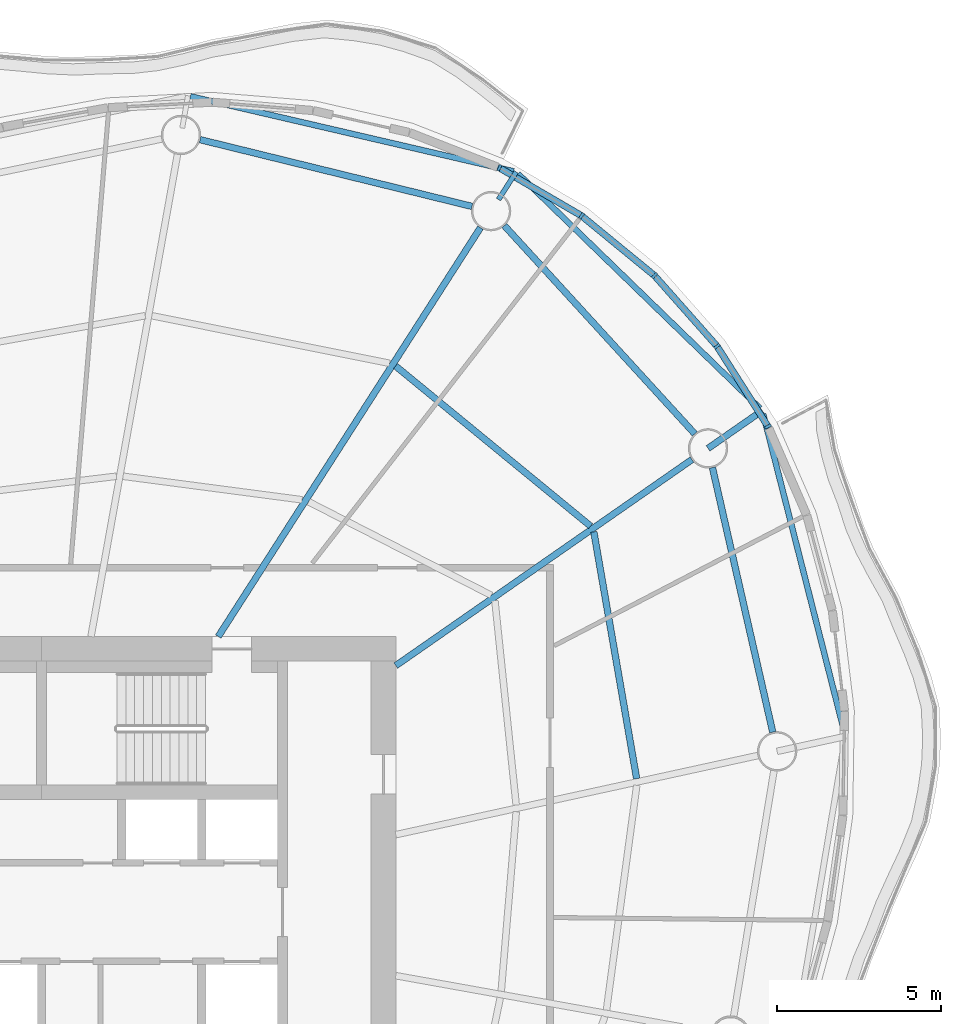
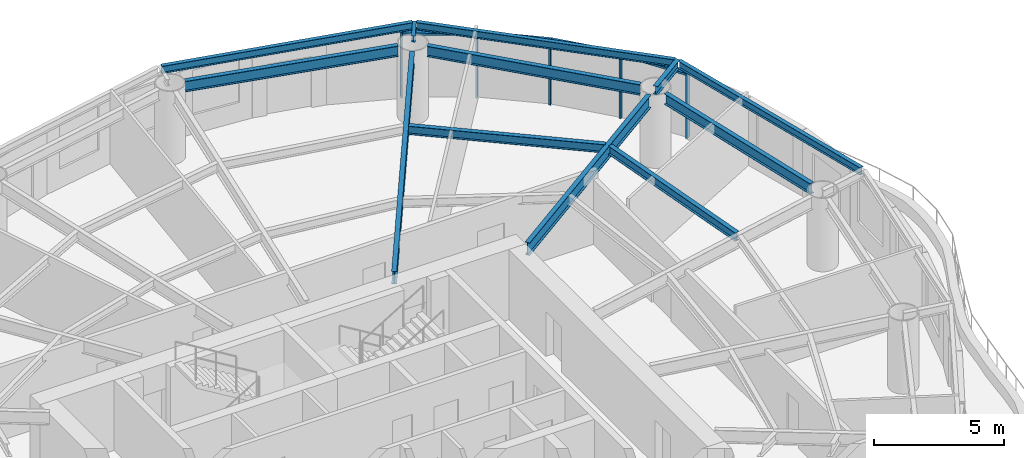
# One storey, part 6 of 14: 12 beams, 9 members, 4 elements without a shape of their own.
"""IFC4 building model written with IfcOpenShell, lengths in metres."""

from ifc_helpers import new_model, si_unit, direction, frame, origin, origin_2d, place, context, subcontext, project, spatial, rectangle, i_section, extrude, material, material_profile, profile_set, type_object, element, aggregate, save


model = new_model("IFC4")

# Units and contexts
model_context = context("Model", 3, precision=1e-05, world=origin(), true_north=direction((0.0, 1.0)))
body_context = subcontext(model_context, "Body", "Model", "MODEL_VIEW")
ifc_project = project(units=[si_unit("LENGTHUNIT", "METRE"), si_unit("AREAUNIT", "SQUARE_METRE"), si_unit("VOLUMEUNIT", "CUBIC_METRE"), si_unit("PLANEANGLEUNIT", "RADIAN"), si_unit("MASSUNIT", "GRAM", prefix="KILO")], contexts=[model_context])

# Site, building, storey
site_placement = place(None, origin())
site = spatial("IfcSite", under=ifc_project, at=site_placement, CompositionType="ELEMENT")
building_placement = place(site_placement, origin())
building = spatial("IfcBuilding", under=site, at=building_placement, Name="Vermilion Reach Broadcast Tower", CompositionType="ELEMENT")
storey_placement = place(building_placement, frame((0.0, 0.0, 217.300048828125)))
storey = spatial("IfcBuildingStorey", under=building, at=storey_placement, Name="L53", CompositionType="ELEMENT", Elevation=217.300048828125)

# Beams
ifc_material_1 = material(Name="Steel S355J2", Category="steel")
ifc_material_profile_1 = material_profile(ifc_material_1, i_section(OverallWidth=0.175048828125, OverallDepth=0.35009765625, WebThickness=0.007080078125, FlangeThickness=0.010986328125, at=origin_2d()), Name="S355J2 HN 350x175x7x11")
ifc_profile_set_1 = profile_set([ifc_material_profile_1], Name="Steel S355J2")
beam_type_1 = type_object("IfcBeamType", Name="EB4 HN 350x175x7x11", PredefinedType="BEAM", material=ifc_profile_set_1)
beam_1_placement = place(storey_placement, frame((8.391357421875, 22.581787109375, 3.27490234375), z_axis=(-0.974106502606, 0.226089631743, 0.0), x_axis=(-0.226089631743, -0.974106502606, 0.0)))
element("IfcBeam", 1, at=beam_1_placement, inside=storey, type_object=beam_type_1, Name="Edge beam EB4-01", PredefinedType="BEAM", context=body_context, shape_type="SweptSolid", body=[
    extrude(i_section(OverallWidth=0.175048828125, OverallDepth=0.35009765625, WebThickness=0.007080078125, FlangeThickness=0.010986328125, at=origin_2d()), origin(), (0.0, 0.0, 1.0), 10.115966796875),
])
beam_2_placement = place(storey_placement, frame((18.48193359375, 5.45361328125, 3.27490234375), z_axis=(-0.247331773044, 0.968930851012, 0.0), x_axis=(-0.968930851012, -0.247331773044, 0.0)))
element("IfcBeam", 2, at=beam_2_placement, inside=storey, type_object=beam_type_1, Name="Edge beam EB4-15", PredefinedType="BEAM", context=body_context, shape_type="SweptSolid", body=[
    extrude(i_section(OverallWidth=0.175048828125, OverallDepth=0.35009765625, WebThickness=0.007080078125, FlangeThickness=0.010986328125, at=origin_2d()), origin(), (0.0, 0.0, 1.0), 10.042724609375),
])
beam_3_placement = place(storey_placement, frame((15.8984375, 15.358642578125, 3.27490234375), z_axis=(-0.717860801863, 0.696186662576, 0.0), x_axis=(-0.696186662576, -0.717860801863, 0.0)))
element("IfcBeam", 3, at=beam_3_placement, inside=storey, type_object=beam_type_1, Name="Edge beam EB4-16", PredefinedType="BEAM", context=body_context, shape_type="SweptSolid", body=[
    extrude(i_section(OverallWidth=0.175048828125, OverallDepth=0.35009765625, WebThickness=0.007080078125, FlangeThickness=0.010986328125, at=origin_2d()), origin(), (0.0, 0.0, 1.0), 10.27294921875),
])
ifc_material_2 = material(Name="Steel S355J2", Category="steel")
ifc_material_profile_2 = material_profile(ifc_material_2, i_section(OverallWidth=0.199951171875, OverallDepth=0.60009765625, WebThickness=0.010986328125, FlangeThickness=0.01708984375, at=origin_2d()), Name="S355J2 HN 600x200x11x17")
ifc_profile_set_2 = profile_set([ifc_material_profile_2], Name="Steel S355J2")
beam_type_2 = type_object("IfcBeamType", Name="G4 HN 600x200x11x17", PredefinedType="BEAM", material=ifc_profile_set_2)
beam_4_placement = place(storey_placement, frame((-0.613525390625, 8.39990234375, 3.14990234375), z_axis=(0.539796447586, 0.84179557802, 0.0), x_axis=(-0.84179557802, 0.539796447586, 0.0)))
element("IfcBeam", 4, at=beam_4_placement, inside=storey, type_object=beam_type_2, Name="Girder G4-01", PredefinedType="BEAM", context=body_context, shape_type="SweptSolid", body=[
    extrude(i_section(OverallWidth=0.199951171875, OverallDepth=0.60009765625, WebThickness=0.010986328125, FlangeThickness=0.01708984375, at=origin_2d()), origin(), (0.0, 0.0, 1.0), 14.8076171875),
])
beam_5_placement = place(storey_placement, frame((4.800048828125, 7.5146484375, 3.14990234375), z_axis=(0.820848627818, 0.571145804684, 0.0), x_axis=(-0.571145804684, 0.820848627818, 0.0)))
element("IfcBeam", 5, at=beam_5_placement, inside=storey, type_object=beam_type_2, Name="Girder G4-16", PredefinedType="BEAM", context=body_context, shape_type="SweptSolid", body=[
    extrude(i_section(OverallWidth=0.199951171875, OverallDepth=0.60009765625, WebThickness=0.010986328125, FlangeThickness=0.01708984375, at=origin_2d()), origin(), (0.0, 0.0, 1.0), 10.99560546875),
])
ifc_material_3 = material(Name="Steel S355J2", Category="steel")
ifc_material_profile_3 = material_profile(ifc_material_3, i_section(OverallWidth=0.199951171875, OverallDepth=0.39990234375, WebThickness=0.008056640625, FlangeThickness=0.012939453125, at=origin_2d()), Name="S355J2 HN 400x200x8x13")
ifc_profile_set_3 = profile_set([ifc_material_profile_3], Name="Steel S355J2")
beam_type_3 = type_object("IfcBeamType", Name="GC4 HN 400x200x8x13", PredefinedType="BEAM", material=ifc_profile_set_3)
beam_6_placement = place(storey_placement, frame((14.318115234375, 14.13720703125, 3.25), z_axis=(0.820885438798, 0.571092896444, 0.0), x_axis=(-0.571092896444, 0.820885438798, 0.0)))
element("IfcBeam", 6, at=beam_6_placement, inside=storey, type_object=beam_type_3, Name="Cantilever girder GC4-16", PredefinedType="BEAM", context=body_context, shape_type="SweptSolid", body=[
    extrude(i_section(OverallWidth=0.199951171875, OverallDepth=0.39990234375, WebThickness=0.008056640625, FlangeThickness=0.012939453125, at=origin_2d()), origin(), (0.0, 0.0, 1.0), 2.014404296875),
])
ifc_material_4 = material(Name="Steel S355J2", Category="steel")
ifc_material_profile_4 = material_profile(ifc_material_4, i_section(OverallWidth=0.14990234375, OverallDepth=0.300048828125, WebThickness=0.006591796875, FlangeThickness=0.009033203125, at=origin_2d()), Name="S355J2 HN 300x150x6.5x9")
ifc_profile_set_4 = profile_set([ifc_material_profile_4], Name="Steel S355J2")
beam_type_4 = type_object("IfcBeamType", Name="GS4 HN 300x150x6.5x9", PredefinedType="BEAM", material=ifc_profile_set_4)
beam_7_placement = place(storey_placement, frame((7.92919921875, 21.721923828125, 3.300048828125), z_axis=(0.539794777091, 0.841796649213, 0.0), x_axis=(-0.841796649213, 0.539794777091, 0.0)))
element("IfcBeam", 7, at=beam_7_placement, inside=storey, type_object=beam_type_4, Name="Cantilever stub GS4-01", PredefinedType="BEAM", context=body_context, shape_type="SweptSolid", body=[
    extrude(i_section(OverallWidth=0.14990234375, OverallDepth=0.300048828125, WebThickness=0.006591796875, FlangeThickness=0.009033203125, at=origin_2d()), origin(), (0.0, 0.0, 1.0), 1.0),
])
ifc_material_5 = material(Name="Steel S355J2", Category="steel")
ifc_material_profile_5 = material_profile(ifc_material_5, i_section(OverallWidth=0.199951171875, OverallDepth=0.5, WebThickness=0.010009765625, FlangeThickness=0.01611328125, at=origin_2d()), Name="S355J2 HN 500x200x10x16")
ifc_profile_set_5 = profile_set([ifc_material_profile_5], Name="Steel S355J2")
beam_type_5 = type_object("IfcBeamType", Name="RB4 HN 500x200x10x16", PredefinedType="BEAM", material=ifc_profile_set_5)
beam_8_placement = place(storey_placement, frame((7.120849609375, 21.51318359375, 3.199951171875), z_axis=(-0.971158622271, 0.238434331398, 0.0), x_axis=(-0.238434331398, -0.971158622271, 0.0)))
element("IfcBeam", 8, at=beam_8_placement, inside=storey, type_object=beam_type_5, Name="Ring beam RB4-01", PredefinedType="BEAM", context=body_context, shape_type="SweptSolid", body=[
    extrude(i_section(OverallWidth=0.199951171875, OverallDepth=0.5, WebThickness=0.010009765625, FlangeThickness=0.01611328125, at=origin_2d()), origin(), (0.0, 0.0, 1.0), 8.534423828125),
])
beam_9_placement = place(storey_placement, frame((16.290283203125, 5.486572265625, 3.199951171875), z_axis=(-0.222283068275, 0.974982172944, 0.0), x_axis=(-0.974982172944, -0.222283068275, 0.0)))
element("IfcBeam", 9, at=beam_9_placement, inside=storey, type_object=beam_type_5, Name="Ring beam RB4-15", PredefinedType="BEAM", context=body_context, shape_type="SweptSolid", body=[
    extrude(i_section(OverallWidth=0.199951171875, OverallDepth=0.5, WebThickness=0.010009765625, FlangeThickness=0.01611328125, at=origin_2d()), origin(), (0.0, 0.0, 1.0), 8.272705078125),
])
beam_10_placement = place(storey_placement, frame((13.9130859375, 14.580078125, 3.199951171875), z_axis=(-0.674868141417, 0.737938338684, 0.0), x_axis=(-0.737938338684, -0.674868141417, 0.0)))
element("IfcBeam", 10, at=beam_10_placement, inside=storey, type_object=beam_type_5, Name="Ring beam RB4-16", PredefinedType="BEAM", context=body_context, shape_type="SweptSolid", body=[
    extrude(i_section(OverallWidth=0.199951171875, OverallDepth=0.5, WebThickness=0.010009765625, FlangeThickness=0.01611328125, at=origin_2d()), origin(), (0.0, 0.0, 1.0), 8.601318359375),
])
ifc_material_6 = material(Name="Steel S355J2", Category="steel")
ifc_material_profile_6 = material_profile(ifc_material_6, i_section(OverallWidth=0.199951171875, OverallDepth=0.39990234375, WebThickness=0.008056640625, FlangeThickness=0.012939453125, at=origin_2d()), Name="S355J2 HN 400x200x8x13")
ifc_profile_set_6 = profile_set([ifc_material_profile_6], Name="Steel S355J2")
beam_type_6 = type_object("IfcBeamType", Name="SB4 HN 400x200x8x13", PredefinedType="BEAM", material=ifc_profile_set_6)
beam_11_placement = place(storey_placement, frame((12.141357421875, 4.067626953125, 3.25), z_axis=(-0.170926997669, 0.985283695931, 0.0), x_axis=(-0.985283695931, -0.170926997669, 0.0)))
element("IfcBeam", 11, at=beam_11_placement, inside=storey, type_object=beam_type_6, Name="Secondary beam SB4-15-2", PredefinedType="BEAM", context=body_context, shape_type="SweptSolid", body=[
    extrude(i_section(OverallWidth=0.199951171875, OverallDepth=0.39990234375, WebThickness=0.008056640625, FlangeThickness=0.012939453125, at=origin_2d()), origin(), (0.0, 0.0, 1.0), 7.63720703125),
])
beam_12_placement = place(storey_placement, frame((10.73681640625, 11.76708984375, 3.25), z_axis=(-0.772952000494, 0.6344645025, 0.0), x_axis=(-0.6344645025, -0.772952000494, 0.0)))
element("IfcBeam", 12, at=beam_12_placement, inside=storey, type_object=beam_type_6, Name="Secondary beam SB4-16-2", PredefinedType="BEAM", context=body_context, shape_type="SweptSolid", body=[
    extrude(i_section(OverallWidth=0.199951171875, OverallDepth=0.39990234375, WebThickness=0.008056640625, FlangeThickness=0.012939453125, at=origin_2d()), origin(), (0.0, 0.0, 1.0), 7.689697265625),
])

# Curtain wall, member
ifc_material_7 = material(Name="Low-e laminated clear glass in aluminium frame", Category="aluminium")
curtain_wall_type = type_object("IfcCurtainWallType", Name="Slot curtain wall", PredefinedType="NOTDEFINED", material=ifc_material_7)
placement = place(storey_placement, origin())
curtain_wall_1 = element("IfcCurtainWall", 13, at=placement, inside=storey, type_object=curtain_wall_type, Name="Slot curtain wall L53 46", PredefinedType="NOTDEFINED")
ifc_material_8 = material(Name="Anodised aluminium", Category="aluminium")
ifc_material_profile_7 = material_profile(ifc_material_8, rectangle(XDim=0.199951171875, YDim=0.080078125, at=origin_2d()), Name="Slot mullion 80 x 200")
ifc_profile_set_7 = profile_set([ifc_material_profile_7], Name="Anodised aluminium")
member_type_1 = type_object("IfcMemberType", Name="Slot mullion 80 x 200", PredefinedType="MULLION", material=ifc_profile_set_7)
member_1_placement = place(storey_placement, frame((16.145751953125, 14.80322265625, 0.0), z_axis=(0.0, 0.0, 1.0), x_axis=(-0.88289398757, -0.469572365789, 0.0)))
member_1 = element("IfcMember", 14, at=member_1_placement, type_object=member_type_1, Name="Slot mullion L53 46", PredefinedType="MULLION", context=body_context, shape_type="SweptSolid", body=[
    extrude(rectangle(XDim=0.199951171875, YDim=0.080078125, at=origin_2d()), origin(), (0.0, 0.0, 1.0), 3.050048828125),
])

curtain_wall_2 = element("IfcCurtainWall", 15, at=placement, inside=storey, type_object=curtain_wall_type, Name="Slot curtain wall L53 47", PredefinedType="NOTDEFINED")
member_2_placement = place(storey_placement, frame((14.590576171875, 17.25048828125, 0.0), z_axis=(0.0, 0.0, 1.0), x_axis=(-0.798938854173, -0.601412260677, 0.0)))
member_2 = element("IfcMember", 16, at=member_2_placement, type_object=member_type_1, Name="Slot mullion L53 47", PredefinedType="MULLION", context=body_context, shape_type="SweptSolid", body=[
    extrude(rectangle(XDim=0.199951171875, YDim=0.080078125, at=origin_2d()), origin(), (0.0, 0.0, 1.0), 3.050048828125),
])

curtain_wall_3 = element("IfcCurtainWall", 17, at=placement, inside=storey, type_object=curtain_wall_type, Name="Slot curtain wall L53 00", PredefinedType="NOTDEFINED")
member_3_placement = place(storey_placement, frame((12.685302734375, 19.4033203125, 0.0), z_axis=(0.0, 0.0, 1.0), x_axis=(-0.693653282278, -0.720309047551, 0.0)))
member_3 = element("IfcMember", 18, at=member_3_placement, type_object=member_type_1, Name="Slot mullion L53 00", PredefinedType="MULLION", context=body_context, shape_type="SweptSolid", body=[
    extrude(rectangle(XDim=0.199951171875, YDim=0.080078125, at=origin_2d()), origin(), (0.0, 0.0, 1.0), 3.050048828125),
])

# Curtain wall, members
curtain_wall_4 = element("IfcCurtainWall", 19, at=placement, inside=storey, type_object=curtain_wall_type, Name="Slot curtain wall L53 01", PredefinedType="NOTDEFINED")
member_4_placement = place(storey_placement, frame((10.462158203125, 21.22607421875, 0.0), z_axis=(0.0, 0.0, 1.0), x_axis=(-0.570872781732, -0.821038529594, 0.0)))
member_4 = element("IfcMember", 20, at=member_4_placement, type_object=member_type_1, Name="Slot mullion L53 01", PredefinedType="MULLION", context=body_context, shape_type="SweptSolid", body=[
    extrude(rectangle(XDim=0.199951171875, YDim=0.080078125, at=origin_2d()), origin(), (0.0, 0.0, 1.0), 3.050048828125),
])
member_5_placement = place(storey_placement, frame((7.9580078125, 22.68798828125, 0.0), z_axis=(0.0, 0.0, 1.0), x_axis=(-0.43596236059, -0.899964899398, 0.0)))
member_5 = element("IfcMember", 21, at=member_5_placement, type_object=member_type_1, Name="Slot mullion L53 02", PredefinedType="MULLION", context=body_context, shape_type="SweptSolid", body=[
    extrude(rectangle(XDim=0.199951171875, YDim=0.080078125, at=origin_2d()), origin(), (0.0, 0.0, 1.0), 3.050048828125),
])

# Member
ifc_material_9 = material(Name="Anodised aluminium", Category="aluminium")
ifc_material_profile_8 = material_profile(ifc_material_9, rectangle(XDim=0.199951171875, YDim=0.10009765625, at=origin_2d()), Name="Slot transom 200 x 100")
ifc_profile_set_8 = profile_set([ifc_material_profile_8], Name="Anodised aluminium")
member_type_2 = type_object("IfcMemberType", Name="Slot transom 200 x 100", PredefinedType="USERDEFINED", material=ifc_profile_set_8)
member_6_placement = place(storey_placement, frame((16.124267578125, 14.8369140625, 3.0), z_axis=(-0.536303911844, 0.844024948767, 0.0), x_axis=(-0.844024948767, -0.536303911844, 0.0)))
member_6 = element("IfcMember", 22, at=member_6_placement, type_object=member_type_2, Name="Slot transom L53 46.1", ObjectType="TRANSOM", PredefinedType="USERDEFINED", context=body_context, shape_type="SweptSolid", body=[
    extrude(rectangle(XDim=0.199951171875, YDim=0.10009765625, at=origin_2d()), origin(), (0.0, 0.0, 1.0), 2.819580078125),
])

aggregate(curtain_wall_1, [member_1, member_6])

member_7_placement = place(storey_placement, frame((14.564208984375, 17.280517578125, 3.0), z_axis=(-0.662730301747, 0.748858162235, 0.0), x_axis=(-0.748858162235, -0.662730301747, 0.0)))
member_7 = element("IfcMember", 23, at=member_7_placement, type_object=member_type_2, Name="Slot transom L53 47.1", ObjectType="TRANSOM", PredefinedType="USERDEFINED", context=body_context, shape_type="SweptSolid", body=[
    extrude(rectangle(XDim=0.199951171875, YDim=0.10009765625, at=origin_2d()), origin(), (0.0, 0.0, 1.0), 2.794921875),
])

aggregate(curtain_wall_2, [member_2, member_7])

member_8_placement = place(storey_placement, frame((12.654541015625, 19.4287109375, 3.0), z_axis=(-0.773330318564, 0.634003326797, 0.0), x_axis=(-0.634003326797, -0.773330318564, 0.0)))
member_8 = element("IfcMember", 24, at=member_8_placement, type_object=member_type_2, Name="Slot transom L53 00.1", ObjectType="TRANSOM", PredefinedType="USERDEFINED", context=body_context, shape_type="SweptSolid", body=[
    extrude(rectangle(XDim=0.199951171875, YDim=0.10009765625, at=origin_2d()), origin(), (0.0, 0.0, 1.0), 2.794921875),
])

aggregate(curtain_wall_3, [member_3, member_8])

member_9_placement = place(storey_placement, frame((10.427734375, 21.246337890625, 3.0), z_axis=(-0.863596702364, 0.504183236201, 0.0), x_axis=(-0.504183236201, -0.863596702364, 0.0)))
member_9 = element("IfcMember", 25, at=member_9_placement, type_object=member_type_2, Name="Slot transom L53 01.1", ObjectType="TRANSOM", PredefinedType="USERDEFINED", context=body_context, shape_type="SweptSolid", body=[
    extrude(rectangle(XDim=0.199951171875, YDim=0.10009765625, at=origin_2d()), origin(), (0.0, 0.0, 1.0), 2.819580078125),
])

aggregate(curtain_wall_4, [member_4, member_5, member_9])

save(model, "model.ifc")
